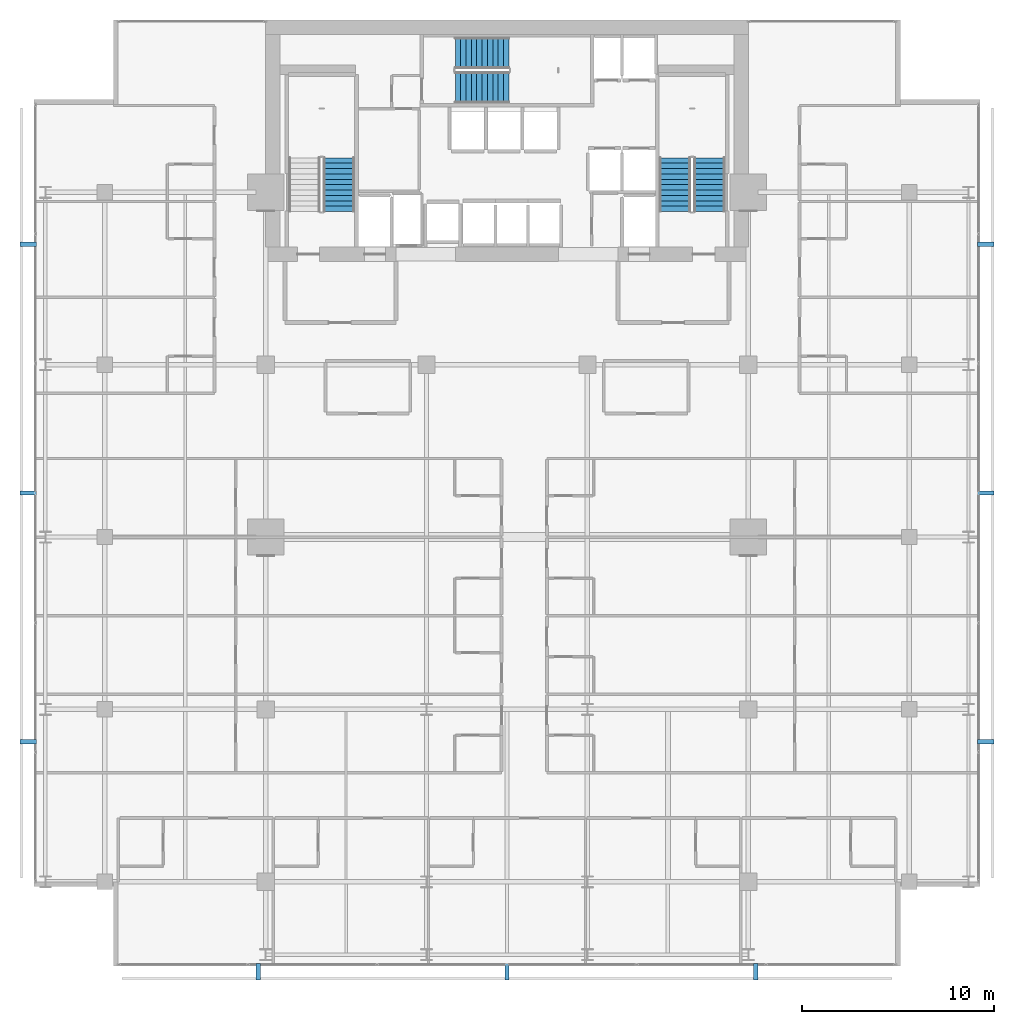
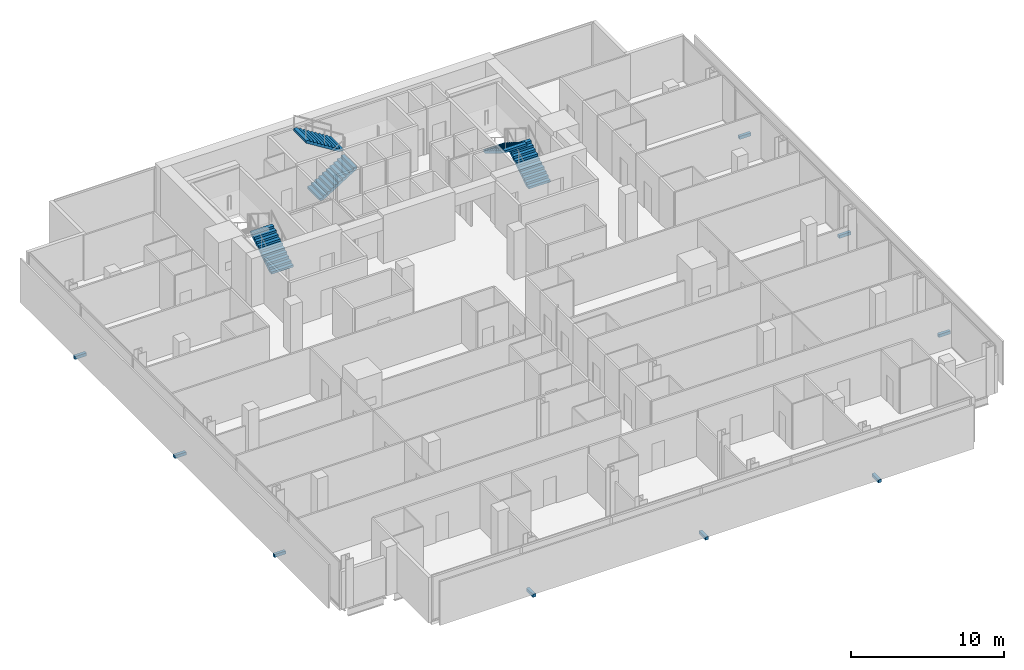
# One storey, part 32 of 34: 9 discrete accessories, 5 stair flights, 3 elements without a shape of their own.
"""IFC4 building model written with IfcOpenShell, lengths in metres."""

from ifc_helpers import new_model, si_unit, direction, frame, origin, origin_2d, place, context, subcontext, project, spatial, polyline, rectangle, outline, extrude, material, type_object, element, aggregate, save


model = new_model("IFC4")

# Units and contexts
model_context = context("Model", 3, precision=1e-05, world=origin(), true_north=direction((0.0, 1.0)))
body_context = subcontext(model_context, "Body", "Model", "MODEL_VIEW")
ifc_project = project(units=[si_unit("LENGTHUNIT", "METRE"), si_unit("AREAUNIT", "SQUARE_METRE"), si_unit("VOLUMEUNIT", "CUBIC_METRE"), si_unit("PLANEANGLEUNIT", "RADIAN"), si_unit("MASSUNIT", "GRAM", prefix="KILO")], contexts=[model_context])

# Site, building, storey
site_placement = place(None, origin())
site = spatial("IfcSite", under=ifc_project, at=site_placement, CompositionType="ELEMENT")
building_placement = place(site_placement, origin())
building = spatial("IfcBuilding", under=site, at=building_placement, Name="Maruvema Waterfront Hotel and Observation Tower", CompositionType="ELEMENT")
storey_placement = place(building_placement, frame((0.0, 0.0, 177.449951171875)))
storey = spatial("IfcBuildingStorey", under=building, at=storey_placement, Name="L43", CompositionType="ELEMENT", Elevation=177.449951171875)

# Stair, stair flight
ifc_material_1 = material(Name="Concrete C50/60", Category="concrete")
stair_type = type_object("IfcStairType", Name="Dogleg Exit Stair 1650 mm (22R x 175.0 mm)", PredefinedType="HALF_TURN_STAIR", material=ifc_material_1)
stair_1_placement = place(storey_placement, origin())
stair_1 = element("IfcStair", 1, at=stair_1_placement, inside=storey, type_object=stair_type, Name="L43 ST-01", PredefinedType="HALF_TURN_STAIR")
ifc_material_2 = material(Name="Concrete C50/60", Category="concrete")
stair_flight_type = type_object("IfcStairFlightType", Name="Reinforced Concrete Stair Flight 1650 mm (11R x 175.0 mm)", PredefinedType="STRAIGHT", material=ifc_material_2)
stair_flight_1_placement = place(storey_placement, frame((29.02490234375, 44.0, 0.0), z_axis=(0.0, 0.0, 1.0), x_axis=(0.0, 1.0, 0.0)))
stair_flight_1 = element("IfcStairFlight", 2, at=stair_flight_1_placement, type_object=stair_flight_type, Name="ST-01 flight 1", NumberOfRisers=11, NumberOfTreads=10, PredefinedType="STRAIGHT", RiserHeight=0.175, TreadLength=0.28, context=body_context, shape_type="SweptSolid", body=[
    extrude(outline(polyline([(0.0, 0.0), (0.0, 0.175048828125), (0.280029296875, 0.175048828125), (0.280029296875, 0.35009765625), (0.56005859375, 0.35009765625), (0.56005859375, 0.52490234375), (0.840087890625, 0.52490234375), (0.840087890625, 0.699951171875), (1.1201171875, 0.699951171875), (1.1201171875, 0.875), (1.39990234375, 0.875), (1.39990234375, 1.050048828125), (1.679931640625, 1.050048828125), (1.679931640625, 1.22509765625), (1.9599609375, 1.22509765625), (1.9599609375, 1.39990234375), (2.239990234375, 1.39990234375), (2.239990234375, 1.574951171875), (2.52001953125, 1.574951171875), (2.52001953125, 1.75), (2.800048828125, 1.75), (2.800048828125, 1.925048828125), (2.800048828125, 1.5732421875), (0.28271484375, 0.0), (0.0, 0.0)])), frame((0.0, 0.824951171875, 0.0), z_axis=(0.0, -1.0, 0.0), x_axis=(1.0, 0.0, 0.0)), (0.0, 0.0, 1.0), 1.64990234375),
])
aggregate(stair_1, [stair_flight_1])

# Stair, stair flights
stair_2_placement = place(storey_placement, origin())
stair_2 = element("IfcStair", 3, at=stair_2_placement, inside=storey, type_object=stair_type, Name="L43 ST-02", PredefinedType="HALF_TURN_STAIR")
stair_flight_2_placement = place(storey_placement, frame((35.10009765625, 50.47509765625, 0.0), z_axis=(0.0, 0.0, 1.0), x_axis=(1.0, 0.0, 0.0)))
stair_flight_2 = element("IfcStairFlight", 4, at=stair_flight_2_placement, type_object=stair_flight_type, Name="ST-02 flight 1", NumberOfRisers=11, NumberOfTreads=10, PredefinedType="STRAIGHT", RiserHeight=0.175, TreadLength=0.28, context=body_context, shape_type="SweptSolid", body=[
    extrude(outline(polyline([(0.0, 0.0), (0.0, 0.175048828125), (0.280029296875, 0.175048828125), (0.280029296875, 0.35009765625), (0.56005859375, 0.35009765625), (0.56005859375, 0.52490234375), (0.840087890625, 0.52490234375), (0.840087890625, 0.699951171875), (1.1201171875, 0.699951171875), (1.1201171875, 0.875), (1.39990234375, 0.875), (1.39990234375, 1.050048828125), (1.679931640625, 1.050048828125), (1.679931640625, 1.22509765625), (1.9599609375, 1.22509765625), (1.9599609375, 1.39990234375), (2.239990234375, 1.39990234375), (2.239990234375, 1.574951171875), (2.52001953125, 1.574951171875), (2.52001953125, 1.75), (2.800048828125, 1.75), (2.800048828125, 1.925048828125), (2.800048828125, 1.5732421875), (0.28271484375, 0.0), (0.0, 0.0)])), frame((0.0, 0.824951171875, 0.0), z_axis=(0.0, -1.0, 0.0), x_axis=(1.0, 0.0, 0.0)), (0.0, 0.0, 1.0), 1.64990234375),
])
stair_flight_3_placement = place(storey_placement, frame((37.89990234375, 52.27490234375, 1.925048828125), z_axis=(0.0, 0.0, 1.0), x_axis=(-1.0, 0.0, 0.0)))
stair_flight_3 = element("IfcStairFlight", 5, at=stair_flight_3_placement, type_object=stair_flight_type, Name="ST-02 flight 2", NumberOfRisers=11, NumberOfTreads=10, PredefinedType="STRAIGHT", RiserHeight=0.175, TreadLength=0.28, context=body_context, shape_type="SweptSolid", body=[
    extrude(outline(polyline([(0.0, 0.0), (0.0, 0.175048828125), (0.280029296875, 0.175048828125), (0.280029296875, 0.35009765625), (0.56005859375, 0.35009765625), (0.56005859375, 0.52490234375), (0.840087890625, 0.52490234375), (0.840087890625, 0.699951171875), (1.1201171875, 0.699951171875), (1.1201171875, 0.875), (1.39990234375, 0.875), (1.39990234375, 1.050048828125), (1.679931640625, 1.050048828125), (1.679931640625, 1.22509765625), (1.9599609375, 1.22509765625), (1.9599609375, 1.39990234375), (2.239990234375, 1.39990234375), (2.239990234375, 1.574951171875), (2.52001953125, 1.574951171875), (2.52001953125, 1.75), (2.800048828125, 1.75), (2.800048828125, 1.925048828125), (2.800048828125, 1.5732421875), (0.28271484375, 0.0), (0.0, 0.0)])), frame((0.0, 0.824951171875, 0.0), z_axis=(0.0, -1.0, 0.0), x_axis=(1.0, 0.0, 0.0)), (0.0, 0.0, 1.0), 1.64990234375),
])
aggregate(stair_2, [stair_flight_2, stair_flight_3])

stair_3_placement = place(storey_placement, origin())
stair_3 = element("IfcStair", 6, at=stair_3_placement, inside=storey, type_object=stair_type, Name="L43 ST-03", PredefinedType="HALF_TURN_STAIR")
stair_flight_4_placement = place(storey_placement, frame((48.375, 44.0, 0.0), z_axis=(0.0, 0.0, 1.0), x_axis=(0.0, 1.0, 0.0)))
stair_flight_4 = element("IfcStairFlight", 7, at=stair_flight_4_placement, type_object=stair_flight_type, Name="ST-03 flight 1", NumberOfRisers=11, NumberOfTreads=10, PredefinedType="STRAIGHT", RiserHeight=0.175, TreadLength=0.28, context=body_context, shape_type="SweptSolid", body=[
    extrude(outline(polyline([(0.0, 0.0), (0.0, 0.175048828125), (0.280029296875, 0.175048828125), (0.280029296875, 0.35009765625), (0.56005859375, 0.35009765625), (0.56005859375, 0.52490234375), (0.840087890625, 0.52490234375), (0.840087890625, 0.699951171875), (1.1201171875, 0.699951171875), (1.1201171875, 0.875), (1.39990234375, 0.875), (1.39990234375, 1.050048828125), (1.679931640625, 1.050048828125), (1.679931640625, 1.22509765625), (1.9599609375, 1.22509765625), (1.9599609375, 1.39990234375), (2.239990234375, 1.39990234375), (2.239990234375, 1.574951171875), (2.52001953125, 1.574951171875), (2.52001953125, 1.75), (2.800048828125, 1.75), (2.800048828125, 1.925048828125), (2.800048828125, 1.5732421875), (0.28271484375, 0.0), (0.0, 0.0)])), frame((0.0, 0.824951171875, 0.0), z_axis=(0.0, -1.0, 0.0), x_axis=(1.0, 0.0, 0.0)), (0.0, 0.0, 1.0), 1.64990234375),
])
stair_flight_5_placement = place(storey_placement, frame((46.574951171875, 46.800048828125, 1.925048828125), z_axis=(0.0, 0.0, 1.0), x_axis=(0.0, -1.0, 0.0)))
stair_flight_5 = element("IfcStairFlight", 8, at=stair_flight_5_placement, type_object=stair_flight_type, Name="ST-03 flight 2", NumberOfRisers=11, NumberOfTreads=10, PredefinedType="STRAIGHT", RiserHeight=0.175, TreadLength=0.28, context=body_context, shape_type="SweptSolid", body=[
    extrude(outline(polyline([(0.0, 0.0), (0.0, 0.175048828125), (0.280029296875, 0.175048828125), (0.280029296875, 0.35009765625), (0.56005859375, 0.35009765625), (0.56005859375, 0.52490234375), (0.840087890625, 0.52490234375), (0.840087890625, 0.699951171875), (1.1201171875, 0.699951171875), (1.1201171875, 0.875), (1.39990234375, 0.875), (1.39990234375, 1.050048828125), (1.679931640625, 1.050048828125), (1.679931640625, 1.22509765625), (1.9599609375, 1.22509765625), (1.9599609375, 1.39990234375), (2.239990234375, 1.39990234375), (2.239990234375, 1.574951171875), (2.52001953125, 1.574951171875), (2.52001953125, 1.75), (2.800048828125, 1.75), (2.800048828125, 1.925048828125), (2.800048828125, 1.5732421875), (0.28271484375, 0.0), (0.0, 0.0)])), frame((0.0, 0.824951171875, 0.0), z_axis=(0.0, -1.0, 0.0), x_axis=(1.0, 0.0, 0.0)), (0.0, 0.0, 1.0), 1.64990234375),
])
aggregate(stair_3, [stair_flight_4, stair_flight_5])

# Discrete accessories
ifc_material_3 = material(Name="Duplex stainless steel Grade 2205", Category="steel")
discrete_accessory_type = type_object("IfcDiscreteAccessoryType", Name="Double-Skin Cavity Stainless Outrigger Bracket", PredefinedType="BRACKET", material=ifc_material_3)
for number, where, z_axis, x_axis, name in (
    (9, (24.80810546875, 4.300048828125, -0.14013671875), (0.0, 0.0, 1.0), (1.0, 0.0, 0.0), "L43 Outer Skin Support Bracket 1"),
    (10, (37.800048828125, 4.300048828125, -0.14013671875), (0.0, 0.0, 1.0), (1.0, 0.0, 0.0), "L43 Outer Skin Support Bracket 2"),
    (11, (50.7919921875, 4.300048828125, -0.14013671875), (0.0, 0.0, 1.0), (1.0, 0.0, 0.0), "L43 Outer Skin Support Bracket 3"),
    (12, (62.800048828125, 16.30810546875, -0.14013671875), (0.0, 0.0, 1.0), (0.0, 1.0, 0.0), "L43 Outer Skin Support Bracket 1"),
    (13, (62.800048828125, 29.300048828125, -0.14013671875), (0.0, 0.0, 1.0), (0.0, 1.0, 0.0), "L43 Outer Skin Support Bracket 2"),
    (14, (62.800048828125, 42.2919921875, -0.14013671875), (0.0, 0.0, 1.0), (0.0, 1.0, 0.0), "L43 Outer Skin Support Bracket 3"),
    (15, (12.800048828125, 42.2919921875, -0.14013671875), (0.0, 0.0, 1.0), (0.0, -1.0, 0.0), "L43 Outer Skin Support Bracket 1"),
    (16, (12.800048828125, 29.300048828125, -0.14013671875), (0.0, 0.0, 1.0), (0.0, -1.0, 0.0), "L43 Outer Skin Support Bracket 2"),
    (17, (12.800048828125, 16.30810546875, -0.14013671875), (0.0, 0.0, 1.0), (0.0, -1.0, 0.0), "L43 Outer Skin Support Bracket 3"),
):
    element("IfcDiscreteAccessory", number, at=place(storey_placement, frame(where, z_axis=z_axis, x_axis=x_axis)), inside=storey, type_object=discrete_accessory_type, Name=name, PredefinedType="BRACKET", context=body_context, shape_type="SweptSolid", body=[
        extrude(rectangle(XDim=0.219970703125, YDim=0.860107421875, at=origin_2d()), origin(), (0.0, 0.0, 1.0), 0.239990234375),
    ])

save(model, "model.ifc")
